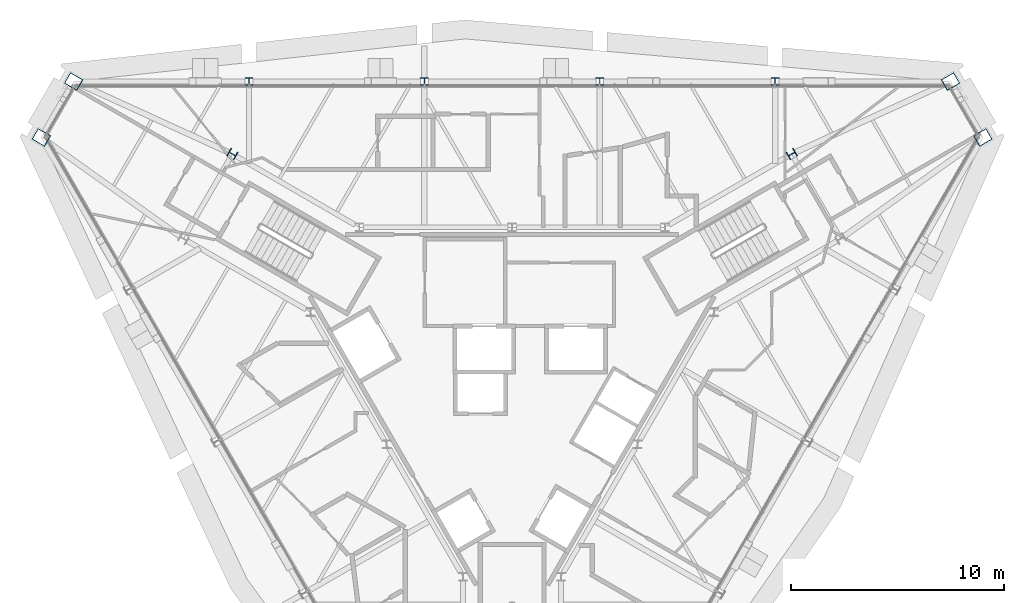
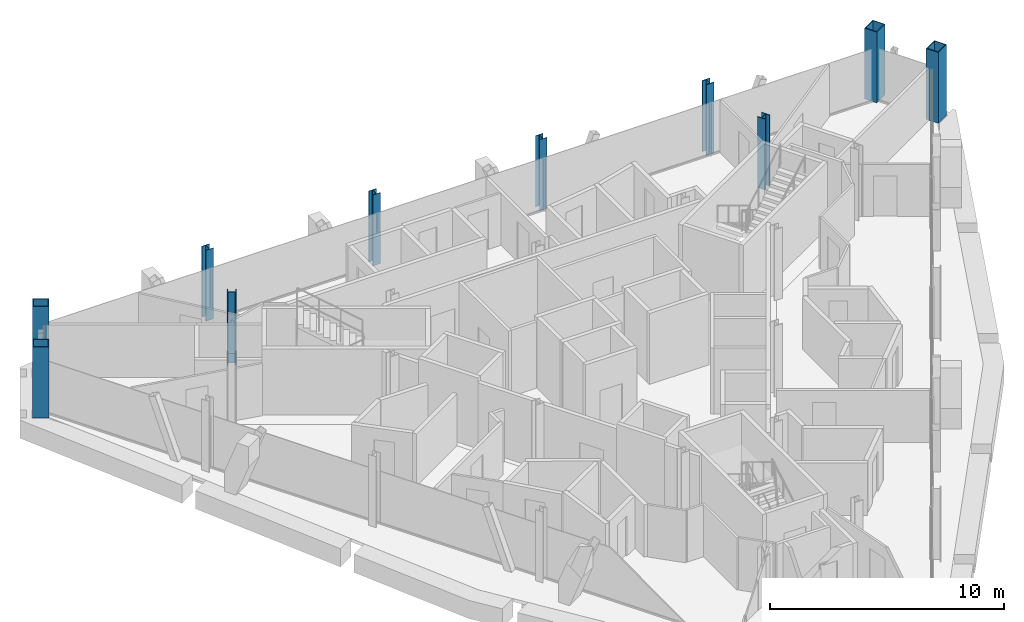
# One storey, part 2 of 13: 10 columns.
"""IFC4 building model written with IfcOpenShell, lengths in metres."""

import ifcopenshell
import ifcopenshell.guid

model = None  # the IFC model being written
_history = None  # IfcOwnerHistory: only IFC2X3 demands one
_inside = {}  # id of a spatial element -> (the spatial element, [elements in it])
_under = {}  # id of a project, library or spatial element -> (it, [spatial elements below it])
_declared = {}  # id of a project -> (the project, [libraries it declares])
_typed = {}  # id of a type object -> (the type object, [elements of that type])
_made_of = {}  # id of a material, layer set ... -> (it, [elements and type objects made of it])


def new_model(schema):
    """Start an empty IFC model of exactly this schema.

    Asked for "IFC4X3", IfcOpenShell would pick the latest addendum, in which some entities
    have other attributes; the version numbers below select the first issue.
    IFC2X3 requires an IfcOwnerHistory on every rooted entity: one is made here for all.
    """
    global model, _history
    if schema == "IFC4X3":
        model = ifcopenshell.file(schema_version=(4, 3, 0, 0))
    else:
        model = ifcopenshell.file(schema=schema)
    _inside.clear()
    _under.clear()
    _declared.clear()
    _typed.clear()
    _made_of.clear()
    _history = None
    if model.schema == "IFC2X3":
        org = make("IfcOrganization", Name="unknown")
        user = make(
            "IfcPersonAndOrganization",
            ThePerson=make("IfcPerson", FamilyName="unknown"),
            TheOrganization=org,
        )
        app = make(
            "IfcApplication",
            ApplicationDeveloper=org,
            Version="unknown",
            ApplicationFullName="unknown",
            ApplicationIdentifier="unknown",
        )
        _history = make(
            "IfcOwnerHistory",
            OwningUser=user,
            OwningApplication=app,
            ChangeAction="ADDED",
            CreationDate=0,
        )
    return model


def make(cls, **values):
    """One entity of the class cls with the attributes given. An attribute that is None is left unset."""
    return model.create_entity(
        cls, **{name: value for name, value in values.items() if value is not None}
    )


def rooted(cls, **values):
    """An entity with a GlobalId (a new one), such as an element, a storey or a relation."""
    return make(cls, GlobalId=ifcopenshell.guid.new(), OwnerHistory=_history, **values)


def si_unit(unit_type, name, prefix=None):
    """IfcSIUnit, for example si_unit("LENGTHUNIT", "METRE", prefix="MILLI")."""
    return make("IfcSIUnit", UnitType=unit_type, Prefix=prefix, Name=name)


def assignment(units):
    """IfcUnitAssignment: the units of a project."""
    return None if units is None else make("IfcUnitAssignment", Units=units)


def point(xyz):
    """IfcCartesianPoint."""
    return None if xyz is None else make("IfcCartesianPoint", Coordinates=xyz)


def direction(xyz):
    """IfcDirection."""
    return None if xyz is None else make("IfcDirection", DirectionRatios=xyz)


def frame(location, z_axis=None, x_axis=None):
    """IfcAxis2Placement3D, a coordinate frame: its origin and axes. An axis left out is left unset."""
    return make(
        "IfcAxis2Placement3D",
        Location=point(location),
        Axis=direction(z_axis),
        RefDirection=direction(x_axis),
    )


def frame_2d(location, x_axis=None):
    """IfcAxis2Placement2D, a coordinate frame in the plane: its origin and x axis."""
    return make(
        "IfcAxis2Placement2D", Location=point(location), RefDirection=direction(x_axis)
    )


def origin():
    """The frame at (0, 0, 0) with its axes left unset."""
    return frame((0.0, 0.0, 0.0))


def origin_2d():
    """The frame at (0, 0) in the plane with its x axis left unset."""
    return frame_2d((0.0, 0.0))


def place(relative_to, where):
    """IfcLocalPlacement: puts the frame where relative to a parent placement (None: the world)."""
    return make(
        "IfcLocalPlacement", PlacementRelTo=relative_to, RelativePlacement=where
    )


def context(
    kind, dimensions, precision=None, world=None, true_north=None, identifier=None
):
    """IfcGeometricRepresentationContext, for example the 3D "Model" context."""
    return make(
        "IfcGeometricRepresentationContext",
        ContextIdentifier=identifier,
        ContextType=kind,
        CoordinateSpaceDimension=dimensions,
        Precision=precision,
        WorldCoordinateSystem=world,
        TrueNorth=true_north,
    )


def subcontext(parent, identifier, kind, view, scale=None):
    """IfcGeometricRepresentationSubContext, for example "Body" below "Model"."""
    return make(
        "IfcGeometricRepresentationSubContext",
        ContextIdentifier=identifier,
        ContextType=kind,
        ParentContext=parent,
        TargetScale=scale,
        TargetView=view,
    )


def project(units=None, contexts=None):
    """IfcProject with its units and contexts."""
    return rooted(
        "IfcProject",
        Name="project",
        RepresentationContexts=contexts,
        UnitsInContext=assignment(units),
    )


def spatial(cls, under=None, at=None, **own):
    """A site, building, storey or space (cls), placed at a placement, below another one or the project."""
    s = rooted(cls, ObjectPlacement=at, **own)
    if under is not None:
        _under.setdefault(under.id(), (under, []))[1].append(s)
    return s


def profile(cls, at=None, kind="AREA", **sizes):
    """A parametric profile (cls). Its sizes go by their IFC names, for example OverallWidth=200.0."""
    return make(cls, ProfileType=kind, Position=at, **sizes)


def hollow_rectangle(**sizes):
    """IfcRectangleHollowProfileDef."""
    return profile("IfcRectangleHollowProfileDef", **sizes)


def i_section(**sizes):
    """IfcIShapeProfileDef."""
    return profile("IfcIShapeProfileDef", **sizes)


def extrude(swept, where, along, depth):
    """IfcExtrudedAreaSolid: the profile swept, set in the frame where, extruded along a direction by depth."""
    return make(
        "IfcExtrudedAreaSolid",
        SweptArea=swept,
        Position=where,
        ExtrudedDirection=direction(along),
        Depth=depth,
    )


def shape(context_of_items, identifier, shape_type, items):
    """IfcShapeRepresentation: the items that make up one representation, for example the "Body"."""
    return make(
        "IfcShapeRepresentation",
        ContextOfItems=context_of_items,
        RepresentationIdentifier=identifier,
        RepresentationType=shape_type,
        Items=items,
    )


def material(Name=None, Category=None):
    """IfcMaterial."""
    return make("IfcMaterial", Name=Name, Category=Category)


def material_profile(
    of_material, cross_section, Name=None, Category=None, Priority=None
):
    """IfcMaterialProfile: a cross section and its material."""
    return make(
        "IfcMaterialProfile",
        Name=Name,
        Material=of_material,
        Profile=cross_section,
        Priority=Priority,
        Category=Category,
    )


def profile_set(profiles, Name=None, composite=None):
    """IfcMaterialProfileSet."""
    return make(
        "IfcMaterialProfileSet",
        Name=Name,
        MaterialProfiles=profiles,
        CompositeProfile=composite,
    )


def made_of(thing, what):
    """Note that an element or type object is made of a material, layer set ...; save() writes the relation."""
    if what is not None:
        _made_of.setdefault(what.id(), (what, []))[1].append(thing)
    return thing


def type_object(cls, material=None, **own):
    """A type object (cls), such as IfcWallType, which elements share."""
    return made_of(rooted(cls, **own), material)


def element(
    cls,
    number,
    at=None,
    inside=None,
    cuts=None,
    type_object=None,
    material=None,
    context=None,
    identifier="Body",
    shape_type=None,
    held_by="IfcProductDefinitionShape",
    body=None,
    shapes=None,
    **own,
):
    """One element of the class cls, such as IfcWall. Its Tag is "e" and its number.

    at: its placement. inside: the storey or other place that contains it. cuts: it is an
    opening in that element (IfcRelVoidsElement). A single representation is given by context,
    identifier, shape_type and body (its items); several are given by shapes. held_by: the class
    of the entity that holds the representations. save() writes the other relations.
    """
    e = rooted(cls, Tag="e%d" % number, ObjectPlacement=at, **own)
    if body is not None:
        shapes = [shape(context, identifier, shape_type, body)]
    if shapes is not None:
        e.Representation = make(held_by, Representations=shapes)
    if inside is not None:
        _inside.setdefault(inside.id(), (inside, []))[1].append(e)
    if cuts is not None:
        rooted(
            "IfcRelVoidsElement", RelatingBuildingElement=cuts, RelatedOpeningElement=e
        )
    if type_object is not None:
        _typed.setdefault(type_object.id(), (type_object, []))[1].append(e)
    return made_of(e, material)


def aggregate(whole, parts):
    """IfcRelAggregates: a whole, such as a stair, and the parts it consists of."""
    return rooted("IfcRelAggregates", RelatingObject=whole, RelatedObjects=parts)


def save(model, path):
    """Write the relations noted so far, then the file.

    IfcRelAggregates (storeys below a building ...), IfcRelContainedInSpatialStructure (elements
    in a storey), IfcRelDefinesByType, IfcRelAssociatesMaterial and IfcRelDeclares: one each for
    every whole, place, type object, material and project.
    """
    for whole, parts in _under.values():
        aggregate(whole, parts)
    for where, things in _inside.values():
        rooted(
            "IfcRelContainedInSpatialStructure",
            RelatedElements=things,
            RelatingStructure=where,
        )
    for kind, things in _typed.values():
        rooted("IfcRelDefinesByType", RelatedObjects=things, RelatingType=kind)
    for what, things in _made_of.values():
        rooted("IfcRelAssociatesMaterial", RelatedObjects=things, RelatingMaterial=what)
    for by, libraries in _declared.values():
        rooted("IfcRelDeclares", RelatingContext=by, RelatedDefinitions=libraries)
    model.write(path)


model = new_model("IFC4")

# Units and contexts
model_context = context("Model", 3, precision=1e-05, world=origin(), true_north=direction((0.0, 1.0)))
body_context = subcontext(model_context, "Body", "Model", "MODEL_VIEW")
ifc_project = project(units=[si_unit("LENGTHUNIT", "METRE"), si_unit("AREAUNIT", "SQUARE_METRE"), si_unit("VOLUMEUNIT", "CUBIC_METRE"), si_unit("PLANEANGLEUNIT", "RADIAN"), si_unit("MASSUNIT", "GRAM", prefix="KILO")], contexts=[model_context])

# Site, building, storey
site_placement = place(None, origin())
site = spatial("IfcSite", under=ifc_project, at=site_placement, CompositionType="ELEMENT")
building_placement = place(site_placement, origin())
building = spatial("IfcBuilding", under=site, at=building_placement, Name="Verrane Prism Tower", CompositionType="ELEMENT")
storey_placement = place(building_placement, frame((0.0, 0.0, 289.89990234375)))
storey = spatial("IfcBuildingStorey", under=building, at=storey_placement, Name="L73", CompositionType="ELEMENT", Elevation=289.89990234375)

# Columns
ifc_material_1 = material(Name="Steel A992", Category="steel")
ifc_material_profile_1 = material_profile(ifc_material_1, i_section(OverallWidth=0.4013671875, OverallDepth=0.398681640625, WebThickness=0.02490234375, FlangeThickness=0.03955078125, FilletRadius=0.01513671875, at=origin_2d()), Name="W14x211")
ifc_profile_set_1 = profile_set([ifc_material_profile_1], Name="Steel A992")
column_type_1 = type_object("IfcColumnType", Name="Core corner column W14x211", PredefinedType="COLUMN", material=ifc_profile_set_1)
for number, where, z_axis, x_axis, name in (
    (1, (13.139892578125, 10.239990234375, 0.0), (0.0, 0.0, 1.0), (0.5, -0.866025403784, 0.0), "Core corner column CK-NEp L73"),
    (2, (-13.139892578125, 10.239990234375, 0.0), (0.0, 0.0, 1.0), (0.5, 0.866025403784, 0.0), "Core corner column CK-NWm L73"),
):
    element("IfcColumn", number, at=place(storey_placement, frame(where, z_axis=z_axis, x_axis=x_axis)), inside=storey, type_object=column_type_1, Name=name, PredefinedType="COLUMN", context=body_context, shape_type="SweptSolid", body=[
        extrude(i_section(OverallWidth=0.4013671875, OverallDepth=0.398681640625, WebThickness=0.02490234375, FlangeThickness=0.03955078125, FilletRadius=0.01513671875, at=origin_2d()), origin(), (0.0, 0.0, 1.0), 3.7001953125),
    ])
ifc_material_2 = material(Name="Steel A572 Grade 50", Category="steel")
ifc_material_profile_2 = material_profile(ifc_material_2, hollow_rectangle(XDim=0.60009765625, YDim=0.699951171875, WallThickness=0.0400390625, at=origin_2d()), Name="BOX 700x600x40")
ifc_profile_set_2 = profile_set([ifc_material_profile_2], Name="Steel A572 Grade 50")
column_type_2 = type_object("IfcColumnType", Name="Megacolumn BOX 700x600x40", PredefinedType="COLUMN", material=ifc_profile_set_2)
for number, where, z_axis, x_axis, name in (
    (3, (20.60009765625, 13.64990234375, 0.0), (0.0, 0.0, 1.0), (0.5, -0.866025403784, 0.0), "Megacolumn MC-NE.b L73"),
    (4, (-20.60009765625, 13.64990234375, 0.0), (0.0, 0.0, 1.0), (0.5, 0.866025403784, 0.0), "Megacolumn MC-NW.a L73"),
    (5, (-22.1201171875, 11.02001953125, 0.0), (0.0, 0.0, 1.0), (0.5, 0.866025403784, 0.0), "Megacolumn MC-NW.b L73"),
    (6, (22.1201171875, 11.02001953125, 0.0), (0.0, 0.0, 1.0), (0.5, -0.866025403784, 0.0), "Megacolumn MC-NE.a L73"),
):
    element("IfcColumn", number, at=place(storey_placement, frame(where, z_axis=z_axis, x_axis=x_axis)), inside=storey, type_object=column_type_2, Name=name, PredefinedType="COLUMN", context=body_context, shape_type="SweptSolid", body=[
        extrude(hollow_rectangle(XDim=0.60009765625, YDim=0.699951171875, WallThickness=0.0400390625, at=origin_2d()), origin(), (0.0, 0.0, 1.0), 3.7001953125),
    ])
ifc_material_3 = material(Name="Steel A992", Category="steel")
ifc_material_profile_3 = material_profile(ifc_material_3, i_section(OverallWidth=0.373291015625, OverallDepth=0.368408203125, WebThickness=0.014892578125, FlangeThickness=0.02392578125, FilletRadius=0.01513671875, at=origin_2d()), Name="W14x120")
ifc_profile_set_3 = profile_set([ifc_material_profile_3], Name="Steel A992")
column_type_3 = type_object("IfcColumnType", Name="Perimeter column W14x120", PredefinedType="COLUMN", material=ifc_profile_set_3)
for number, where, z_axis, x_axis, name in (
    (7, (12.360107421875, 13.64990234375, 0.0), (0.0, 0.0, 1.0), (1.0, 0.0, 0.0), "Perimeter column PC-N1 L73"),
    (8, (4.1201171875, 13.64990234375, 0.0), (0.0, 0.0, 1.0), (1.0, 0.0, 0.0), "Perimeter column PC-N2 L73"),
    (9, (-4.1201171875, 13.64990234375, 0.0), (0.0, 0.0, 1.0), (1.0, 0.0, 0.0), "Perimeter column PC-N3 L73"),
    (10, (-12.360107421875, 13.64990234375, 0.0), (0.0, 0.0, 1.0), (1.0, 0.0, 0.0), "Perimeter column PC-N4 L73"),
):
    element("IfcColumn", number, at=place(storey_placement, frame(where, z_axis=z_axis, x_axis=x_axis)), inside=storey, type_object=column_type_3, Name=name, PredefinedType="COLUMN", context=body_context, shape_type="SweptSolid", body=[
        extrude(i_section(OverallWidth=0.373291015625, OverallDepth=0.368408203125, WebThickness=0.014892578125, FlangeThickness=0.02392578125, FilletRadius=0.01513671875, at=origin_2d()), origin(), (0.0, 0.0, 1.0), 3.7001953125),
    ])

save(model, "model.ifc")
